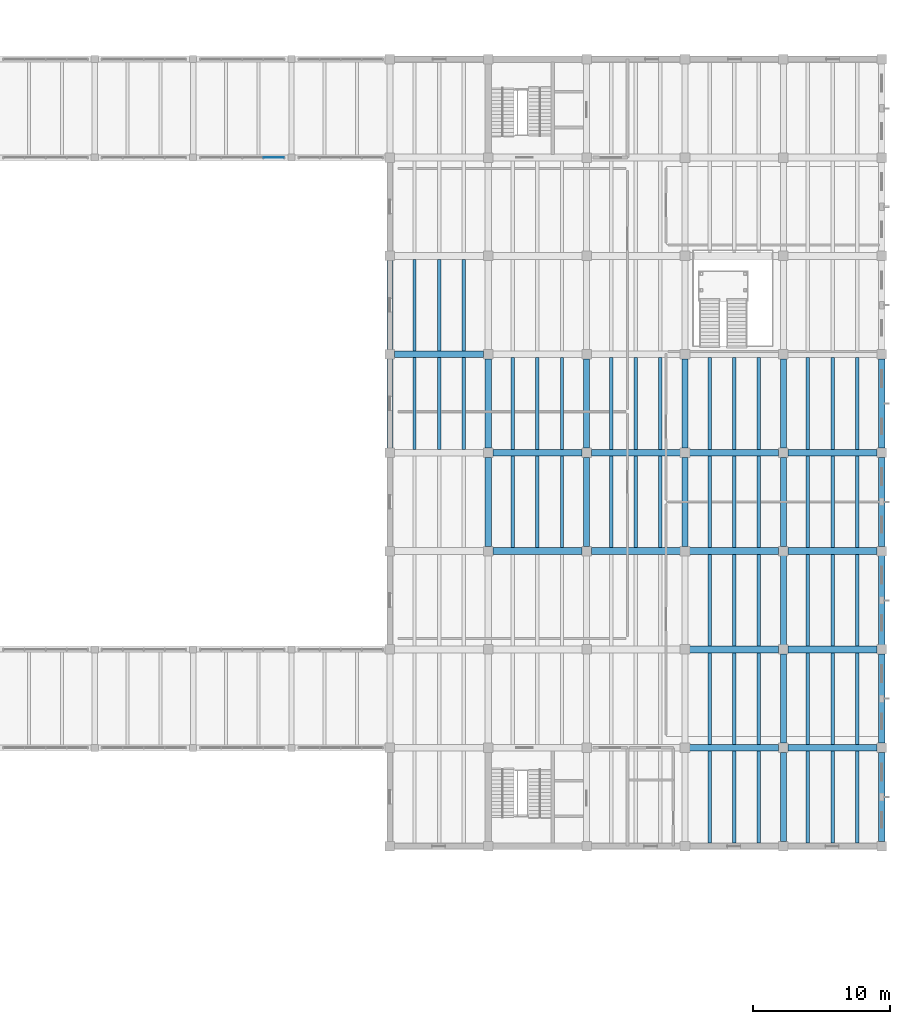
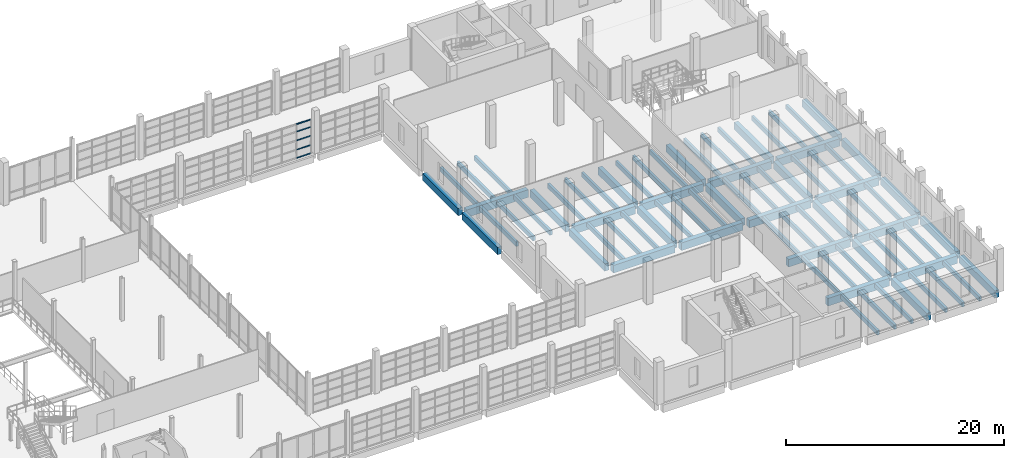
# One storey, part 44 of 77: 79 beams, 5 members, 1 element without a shape of its own.
"""IFC4 building model written with IfcOpenShell, lengths in metres."""

import ifcopenshell
import ifcopenshell.guid

model = None  # the IFC model being written
_history = None  # IfcOwnerHistory: only IFC2X3 demands one
_inside = {}  # id of a spatial element -> (the spatial element, [elements in it])
_under = {}  # id of a project, library or spatial element -> (it, [spatial elements below it])
_declared = {}  # id of a project -> (the project, [libraries it declares])
_typed = {}  # id of a type object -> (the type object, [elements of that type])
_made_of = {}  # id of a material, layer set ... -> (it, [elements and type objects made of it])


def new_model(schema):
    """Start an empty IFC model of exactly this schema.

    Asked for "IFC4X3", IfcOpenShell would pick the latest addendum, in which some entities
    have other attributes; the version numbers below select the first issue.
    IFC2X3 requires an IfcOwnerHistory on every rooted entity: one is made here for all.
    """
    global model, _history
    if schema == "IFC4X3":
        model = ifcopenshell.file(schema_version=(4, 3, 0, 0))
    else:
        model = ifcopenshell.file(schema=schema)
    _inside.clear()
    _under.clear()
    _declared.clear()
    _typed.clear()
    _made_of.clear()
    _history = None
    if model.schema == "IFC2X3":
        org = make("IfcOrganization", Name="unknown")
        user = make(
            "IfcPersonAndOrganization",
            ThePerson=make("IfcPerson", FamilyName="unknown"),
            TheOrganization=org,
        )
        app = make(
            "IfcApplication",
            ApplicationDeveloper=org,
            Version="unknown",
            ApplicationFullName="unknown",
            ApplicationIdentifier="unknown",
        )
        _history = make(
            "IfcOwnerHistory",
            OwningUser=user,
            OwningApplication=app,
            ChangeAction="ADDED",
            CreationDate=0,
        )
    return model


def make(cls, **values):
    """One entity of the class cls with the attributes given. An attribute that is None is left unset."""
    return model.create_entity(
        cls, **{name: value for name, value in values.items() if value is not None}
    )


def rooted(cls, **values):
    """An entity with a GlobalId (a new one), such as an element, a storey or a relation."""
    return make(cls, GlobalId=ifcopenshell.guid.new(), OwnerHistory=_history, **values)


def si_unit(unit_type, name, prefix=None):
    """IfcSIUnit, for example si_unit("LENGTHUNIT", "METRE", prefix="MILLI")."""
    return make("IfcSIUnit", UnitType=unit_type, Prefix=prefix, Name=name)


def assignment(units):
    """IfcUnitAssignment: the units of a project."""
    return None if units is None else make("IfcUnitAssignment", Units=units)


def point(xyz):
    """IfcCartesianPoint."""
    return None if xyz is None else make("IfcCartesianPoint", Coordinates=xyz)


def direction(xyz):
    """IfcDirection."""
    return None if xyz is None else make("IfcDirection", DirectionRatios=xyz)


def frame(location, z_axis=None, x_axis=None):
    """IfcAxis2Placement3D, a coordinate frame: its origin and axes. An axis left out is left unset."""
    return make(
        "IfcAxis2Placement3D",
        Location=point(location),
        Axis=direction(z_axis),
        RefDirection=direction(x_axis),
    )


def frame_2d(location, x_axis=None):
    """IfcAxis2Placement2D, a coordinate frame in the plane: its origin and x axis."""
    return make(
        "IfcAxis2Placement2D", Location=point(location), RefDirection=direction(x_axis)
    )


def origin():
    """The frame at (0, 0, 0) with its axes left unset."""
    return frame((0.0, 0.0, 0.0))


def origin_2d():
    """The frame at (0, 0) in the plane with its x axis left unset."""
    return frame_2d((0.0, 0.0))


def place(relative_to, where):
    """IfcLocalPlacement: puts the frame where relative to a parent placement (None: the world)."""
    return make(
        "IfcLocalPlacement", PlacementRelTo=relative_to, RelativePlacement=where
    )


def context(
    kind, dimensions, precision=None, world=None, true_north=None, identifier=None
):
    """IfcGeometricRepresentationContext, for example the 3D "Model" context."""
    return make(
        "IfcGeometricRepresentationContext",
        ContextIdentifier=identifier,
        ContextType=kind,
        CoordinateSpaceDimension=dimensions,
        Precision=precision,
        WorldCoordinateSystem=world,
        TrueNorth=true_north,
    )


def subcontext(parent, identifier, kind, view, scale=None):
    """IfcGeometricRepresentationSubContext, for example "Body" below "Model"."""
    return make(
        "IfcGeometricRepresentationSubContext",
        ContextIdentifier=identifier,
        ContextType=kind,
        ParentContext=parent,
        TargetScale=scale,
        TargetView=view,
    )


def project(units=None, contexts=None):
    """IfcProject with its units and contexts."""
    return rooted(
        "IfcProject",
        Name="project",
        RepresentationContexts=contexts,
        UnitsInContext=assignment(units),
    )


def spatial(cls, under=None, at=None, **own):
    """A site, building, storey or space (cls), placed at a placement, below another one or the project."""
    s = rooted(cls, ObjectPlacement=at, **own)
    if under is not None:
        _under.setdefault(under.id(), (under, []))[1].append(s)
    return s


def profile(cls, at=None, kind="AREA", **sizes):
    """A parametric profile (cls). Its sizes go by their IFC names, for example OverallWidth=200.0."""
    return make(cls, ProfileType=kind, Position=at, **sizes)


def rectangle(**sizes):
    """IfcRectangleProfileDef."""
    return profile("IfcRectangleProfileDef", **sizes)


def extrude(swept, where, along, depth):
    """IfcExtrudedAreaSolid: the profile swept, set in the frame where, extruded along a direction by depth."""
    return make(
        "IfcExtrudedAreaSolid",
        SweptArea=swept,
        Position=where,
        ExtrudedDirection=direction(along),
        Depth=depth,
    )


def shape(context_of_items, identifier, shape_type, items):
    """IfcShapeRepresentation: the items that make up one representation, for example the "Body"."""
    return make(
        "IfcShapeRepresentation",
        ContextOfItems=context_of_items,
        RepresentationIdentifier=identifier,
        RepresentationType=shape_type,
        Items=items,
    )


def material(Name=None, Category=None):
    """IfcMaterial."""
    return make("IfcMaterial", Name=Name, Category=Category)


def material_profile(
    of_material, cross_section, Name=None, Category=None, Priority=None
):
    """IfcMaterialProfile: a cross section and its material."""
    return make(
        "IfcMaterialProfile",
        Name=Name,
        Material=of_material,
        Profile=cross_section,
        Priority=Priority,
        Category=Category,
    )


def profile_set(profiles, Name=None, composite=None):
    """IfcMaterialProfileSet."""
    return make(
        "IfcMaterialProfileSet",
        Name=Name,
        MaterialProfiles=profiles,
        CompositeProfile=composite,
    )


def made_of(thing, what):
    """Note that an element or type object is made of a material, layer set ...; save() writes the relation."""
    if what is not None:
        _made_of.setdefault(what.id(), (what, []))[1].append(thing)
    return thing


def type_object(cls, material=None, **own):
    """A type object (cls), such as IfcWallType, which elements share."""
    return made_of(rooted(cls, **own), material)


def element(
    cls,
    number,
    at=None,
    inside=None,
    cuts=None,
    type_object=None,
    material=None,
    context=None,
    identifier="Body",
    shape_type=None,
    held_by="IfcProductDefinitionShape",
    body=None,
    shapes=None,
    **own,
):
    """One element of the class cls, such as IfcWall. Its Tag is "e" and its number.

    at: its placement. inside: the storey or other place that contains it. cuts: it is an
    opening in that element (IfcRelVoidsElement). A single representation is given by context,
    identifier, shape_type and body (its items); several are given by shapes. held_by: the class
    of the entity that holds the representations. save() writes the other relations.
    """
    e = rooted(cls, Tag="e%d" % number, ObjectPlacement=at, **own)
    if body is not None:
        shapes = [shape(context, identifier, shape_type, body)]
    if shapes is not None:
        e.Representation = make(held_by, Representations=shapes)
    if inside is not None:
        _inside.setdefault(inside.id(), (inside, []))[1].append(e)
    if cuts is not None:
        rooted(
            "IfcRelVoidsElement", RelatingBuildingElement=cuts, RelatedOpeningElement=e
        )
    if type_object is not None:
        _typed.setdefault(type_object.id(), (type_object, []))[1].append(e)
    return made_of(e, material)


def aggregate(whole, parts):
    """IfcRelAggregates: a whole, such as a stair, and the parts it consists of."""
    return rooted("IfcRelAggregates", RelatingObject=whole, RelatedObjects=parts)


def save(model, path):
    """Write the relations noted so far, then the file.

    IfcRelAggregates (storeys below a building ...), IfcRelContainedInSpatialStructure (elements
    in a storey), IfcRelDefinesByType, IfcRelAssociatesMaterial and IfcRelDeclares: one each for
    every whole, place, type object, material and project.
    """
    for whole, parts in _under.values():
        aggregate(whole, parts)
    for where, things in _inside.values():
        rooted(
            "IfcRelContainedInSpatialStructure",
            RelatedElements=things,
            RelatingStructure=where,
        )
    for kind, things in _typed.values():
        rooted("IfcRelDefinesByType", RelatedObjects=things, RelatingType=kind)
    for what, things in _made_of.values():
        rooted("IfcRelAssociatesMaterial", RelatedObjects=things, RelatingMaterial=what)
    for by, libraries in _declared.values():
        rooted("IfcRelDeclares", RelatingContext=by, RelatedDefinitions=libraries)
    model.write(path)


model = new_model("IFC4")

# Units and contexts
model_context = context("Model", 3, precision=1e-05, world=origin(), true_north=direction((0.0, 1.0)))
body_context = subcontext(model_context, "Body", "Model", "MODEL_VIEW")
ifc_project = project(units=[si_unit("LENGTHUNIT", "METRE"), si_unit("AREAUNIT", "SQUARE_METRE"), si_unit("VOLUMEUNIT", "CUBIC_METRE"), si_unit("PLANEANGLEUNIT", "RADIAN"), si_unit("MASSUNIT", "GRAM", prefix="KILO")], contexts=[model_context])

# Site, building, storey
site_placement = place(None, origin())
site = spatial("IfcSite", under=ifc_project, at=site_placement, CompositionType="ELEMENT")
building_placement = place(site_placement, origin())
building = spatial("IfcBuilding", under=site, at=building_placement, Name="Qiaolan Assembly House", CompositionType="ELEMENT")
storey_placement = place(building_placement, frame((0.0, 0.0, 5.39990234375)))
storey = spatial("IfcBuildingStorey", under=building, at=storey_placement, Name="L01", CompositionType="ELEMENT", Elevation=5.39990234375)

# Beams
ifc_material_1 = material(Name="Concrete C40/50", Category="concrete")
ifc_material_profile_1 = material_profile(ifc_material_1, rectangle(XDim=0.449951171875, YDim=0.800048828125, at=origin_2d()), Name="RCB 450x800")
ifc_profile_set_1 = profile_set([ifc_material_profile_1], Name="Concrete C40/50")
beam_type_1 = type_object("IfcBeamType", Name="BM-RC-450x800", PredefinedType="BEAM", material=ifc_profile_set_1)
for number, where, z_axis, x_axis, name in (
    (1, (136.800048828125, 57.93994140625, -0.669921875), (0.0, 1.0, 0.0), (-1.0, 0.0, 0.0), "GB-03 beam BMY-LB-L01-00-04"),
    (2, (136.800048828125, 65.139892578125, -0.669921875), (0.0, 1.0, 0.0), (-1.0, 0.0, 0.0), "GB-03 beam BMY-LB-L01-00-05"),
    (3, (144.0, 50.739990234375, -0.669921875), (0.0, 1.0, 0.0), (-1.0, 0.0, 0.0), "GB-03 beam BMY-LB-L01-01-03"),
    (4, (144.0, 57.93994140625, -0.669921875), (0.0, 1.0, 0.0), (-1.0, 0.0, 0.0), "GB-03 beam BMY-LB-L01-01-04"),
    (5, (151.199951171875, 50.739990234375, -0.669921875), (0.0, 1.0, 0.0), (-1.0, 0.0, 0.0), "GB-03 beam BMY-LB-L01-02-03"),
    (6, (151.199951171875, 57.93994140625, -0.669921875), (0.0, 1.0, 0.0), (-1.0, 0.0, 0.0), "GB-03 beam BMY-LB-L01-02-04"),
    (7, (158.39990234375, 50.739990234375, -0.669921875), (0.0, 1.0, 0.0), (-1.0, 0.0, 0.0), "GB-03 beam BMY-LB-L01-03-03"),
    (8, (158.39990234375, 57.93994140625, -0.669921875), (0.0, 1.0, 0.0), (-1.0, 0.0, 0.0), "GB-03 beam BMY-LB-L01-03-04"),
    (9, (165.60009765625, 29.139892578125, -0.669921875), (0.0, 1.0, 0.0), (-1.0, 0.0, 0.0), "GB-03 beam BMY-LB-L01-04-00"),
    (10, (165.60009765625, 36.340087890625, -0.669921875), (0.0, 1.0, 0.0), (-1.0, 0.0, 0.0), "GB-03 beam BMY-LB-L01-04-01"),
    (11, (165.60009765625, 43.5400390625, -0.669921875), (0.0, 1.0, 0.0), (-1.0, 0.0, 0.0), "GB-03 beam BMY-LB-L01-04-02"),
    (12, (165.60009765625, 50.739990234375, -0.669921875), (0.0, 1.0, 0.0), (-1.0, 0.0, 0.0), "GB-03 beam BMY-LB-L01-04-03"),
    (13, (165.60009765625, 57.93994140625, -0.669921875), (0.0, 1.0, 0.0), (-1.0, 0.0, 0.0), "GB-03 beam BMY-LB-L01-04-04"),
    (14, (172.800048828125, 29.139892578125, -0.669921875), (0.0, 1.0, 0.0), (-1.0, 0.0, 0.0), "GB-03 beam BMY-LB-L01-05-00"),
    (15, (172.800048828125, 36.340087890625, -0.669921875), (0.0, 1.0, 0.0), (-1.0, 0.0, 0.0), "GB-03 beam BMY-LB-L01-05-01"),
    (16, (172.800048828125, 43.5400390625, -0.669921875), (0.0, 1.0, 0.0), (-1.0, 0.0, 0.0), "GB-03 beam BMY-LB-L01-05-02"),
    (17, (172.800048828125, 50.739990234375, -0.669921875), (0.0, 1.0, 0.0), (-1.0, 0.0, 0.0), "GB-03 beam BMY-LB-L01-05-03"),
    (18, (172.800048828125, 57.93994140625, -0.669921875), (0.0, 1.0, 0.0), (-1.0, 0.0, 0.0), "GB-03 beam BMY-LB-L01-05-04"),
):
    element("IfcBeam", number, at=place(storey_placement, frame(where, z_axis=z_axis, x_axis=x_axis)), inside=storey, type_object=beam_type_1, Name=name, PredefinedType="BEAM", context=body_context, shape_type="SweptSolid", body=[
        extrude(rectangle(XDim=0.449951171875, YDim=0.800048828125, at=origin_2d()), origin(), (0.0, 0.0, 1.0), 6.52001953125),
    ])
ifc_material_2 = material(Name="Concrete C45/55", Category="concrete")
ifc_material_profile_2 = material_profile(ifc_material_2, rectangle(XDim=0.5, YDim=0.85009765625, at=origin_2d()), Name="RCB 500x850")
ifc_profile_set_2 = profile_set([ifc_material_profile_2], Name="Concrete C45/55")
beam_type_2 = type_object("IfcBeamType", Name="BM-RC-500x850", PredefinedType="BEAM", material=ifc_profile_set_2)
for number, where, z_axis, x_axis, name in (
    (19, (158.739990234375, 36.0, -0.69482421875), (1.0, 0.0, 0.0), (0.0, 1.0, 0.0), "GB-02 beam BMX-LB-L01-03-01"),
    (20, (165.93994140625, 36.0, -0.69482421875), (1.0, 0.0, 0.0), (0.0, 1.0, 0.0), "GB-02 beam BMX-LB-L01-04-01"),
    (21, (158.739990234375, 43.199951171875, -0.69482421875), (1.0, 0.0, 0.0), (0.0, 1.0, 0.0), "GB-02 beam BMX-LB-L01-03-02"),
    (22, (165.93994140625, 43.199951171875, -0.69482421875), (1.0, 0.0, 0.0), (0.0, 1.0, 0.0), "GB-02 beam BMX-LB-L01-04-02"),
    (23, (144.340087890625, 50.39990234375, -0.69482421875), (1.0, 0.0, 0.0), (0.0, 1.0, 0.0), "GB-02 beam BMX-LB-L01-01-03"),
    (24, (151.5400390625, 50.39990234375, -0.69482421875), (1.0, 0.0, 0.0), (0.0, 1.0, 0.0), "GB-02 beam BMX-LB-L01-02-03"),
    (25, (158.739990234375, 50.39990234375, -0.69482421875), (1.0, 0.0, 0.0), (0.0, 1.0, 0.0), "GB-02 beam BMX-LB-L01-03-03"),
    (26, (165.93994140625, 50.39990234375, -0.69482421875), (1.0, 0.0, 0.0), (0.0, 1.0, 0.0), "GB-02 beam BMX-LB-L01-04-03"),
    (27, (144.340087890625, 57.60009765625, -0.69482421875), (1.0, 0.0, 0.0), (0.0, 1.0, 0.0), "GB-02 beam BMX-LB-L01-01-04"),
    (28, (151.5400390625, 57.60009765625, -0.69482421875), (1.0, 0.0, 0.0), (0.0, 1.0, 0.0), "GB-02 beam BMX-LB-L01-02-04"),
    (29, (158.739990234375, 57.60009765625, -0.69482421875), (1.0, 0.0, 0.0), (0.0, 1.0, 0.0), "GB-02 beam BMX-LB-L01-03-04"),
    (30, (165.93994140625, 57.60009765625, -0.69482421875), (1.0, 0.0, 0.0), (0.0, 1.0, 0.0), "GB-02 beam BMX-LB-L01-04-04"),
    (31, (137.139892578125, 64.800048828125, -0.69482421875), (1.0, 0.0, 0.0), (0.0, 1.0, 0.0), "GB-02 beam BMX-LB-L01-00-05"),
):
    element("IfcBeam", number, at=place(storey_placement, frame(where, z_axis=z_axis, x_axis=x_axis)), inside=storey, type_object=beam_type_2, Name=name, PredefinedType="BEAM", context=body_context, shape_type="SweptSolid", body=[
        extrude(rectangle(XDim=0.5, YDim=0.85009765625, at=origin_2d()), origin(), (0.0, 0.0, 1.0), 6.52001953125),
    ])

# Curtain wall, members
ifc_material_3 = material(Name="Anodised bronze aluminium", Category="aluminium")
curtain_wall_type = type_object("IfcCurtainWallType", Name="CW-CLOISTER-420", PredefinedType="NOTDEFINED", material=ifc_material_3)
curtain_wall_placement = place(storey_placement, origin())
curtain_wall = element("IfcCurtainWall", 32, at=curtain_wall_placement, inside=storey, type_object=curtain_wall_type, Name="CW-05 North Cloister court arcade L01-3", PredefinedType="NOTDEFINED")
ifc_material_profile_3 = material_profile(ifc_material_3, rectangle(XDim=0.06201171875, YDim=0.125, at=origin_2d()), Name="TRN 62x125")
ifc_profile_set_3 = profile_set([ifc_material_profile_3], Name="Anodised bronze aluminium")
member_type = type_object("IfcMemberType", Name="CW-CLOISTER-420-TRN", PredefinedType="USERDEFINED", material=ifc_profile_set_3)
member_1_placement = place(storey_placement, frame((127.574951171875, 79.199951171875, 0.030029296875), z_axis=(1.0, 0.0, 0.0), x_axis=(0.0, 1.0, 0.0)))
member_1 = element("IfcMember", 33, at=member_1_placement, type_object=member_type, Name="TR-06 transom CW-CLN-CRT-L01-2-4-1", ObjectType="TRANSOM", PredefinedType="USERDEFINED", context=body_context, shape_type="SweptSolid", body=[
    extrude(rectangle(XDim=0.06201171875, YDim=0.125, at=origin_2d()), origin(), (0.0, 0.0, 1.0), 1.469970703125),
])
member_2_placement = place(storey_placement, frame((127.574951171875, 79.199951171875, 0.9501953125), z_axis=(1.0, 0.0, 0.0), x_axis=(0.0, 1.0, 0.0)))
member_2 = element("IfcMember", 34, at=member_2_placement, type_object=member_type, Name="TR-06 transom CW-CLN-CRT-L01-2-4-2", ObjectType="TRANSOM", PredefinedType="USERDEFINED", context=body_context, shape_type="SweptSolid", body=[
    extrude(rectangle(XDim=0.06201171875, YDim=0.125, at=origin_2d()), origin(), (0.0, 0.0, 1.0), 1.469970703125),
])
member_3_placement = place(storey_placement, frame((127.574951171875, 79.199951171875, 1.986572265625), z_axis=(1.0, 0.0, 0.0), x_axis=(0.0, 1.0, 0.0)))
member_3 = element("IfcMember", 35, at=member_3_placement, type_object=member_type, Name="TR-06 transom CW-CLN-CRT-L01-2-4-3", ObjectType="TRANSOM", PredefinedType="USERDEFINED", context=body_context, shape_type="SweptSolid", body=[
    extrude(rectangle(XDim=0.06201171875, YDim=0.125, at=origin_2d()), origin(), (0.0, 0.0, 1.0), 1.469970703125),
])
member_4_placement = place(storey_placement, frame((127.574951171875, 79.199951171875, 2.97021484375), z_axis=(1.0, 0.0, 0.0), x_axis=(0.0, 1.0, 0.0)))
member_4 = element("IfcMember", 36, at=member_4_placement, type_object=member_type, Name="TR-06 transom CW-CLN-CRT-L01-2-4-4", ObjectType="TRANSOM", PredefinedType="USERDEFINED", context=body_context, shape_type="SweptSolid", body=[
    extrude(rectangle(XDim=0.06201171875, YDim=0.125, at=origin_2d()), origin(), (0.0, 0.0, 1.0), 1.469970703125),
])
member_5_placement = place(storey_placement, frame((127.574951171875, 79.199951171875, 3.7900390625), z_axis=(1.0, 0.0, 0.0), x_axis=(0.0, 1.0, 0.0)))
member_5 = element("IfcMember", 37, at=member_5_placement, type_object=member_type, Name="TR-06 transom CW-CLN-CRT-L01-2-4-5", ObjectType="TRANSOM", PredefinedType="USERDEFINED", context=body_context, shape_type="SweptSolid", body=[
    extrude(rectangle(XDim=0.06201171875, YDim=0.125, at=origin_2d()), origin(), (0.0, 0.0, 1.0), 1.469970703125),
])
aggregate(curtain_wall, [member_1, member_2, member_3, member_4, member_5])

# Beams
ifc_material_profile_4 = material_profile(ifc_material_1, rectangle(XDim=0.25, YDim=0.5, at=origin_2d()), Name="RCB 250x500")
ifc_profile_set_4 = profile_set([ifc_material_profile_4], Name="Concrete C40/50")
beam_type_3 = type_object("IfcBeamType", Name="JST-RC-250x500", PredefinedType="JOIST", material=ifc_profile_set_4)
for number, where, z_axis, x_axis, name in (
    (38, (138.60009765625, 57.843994140625, -0.52001953125), (0.0, 1.0, 0.0), (-1.0, 0.0, 0.0), "RJ-01 beam JST-LB-L01-00-04-1"),
    (39, (140.39990234375, 57.843994140625, -0.52001953125), (0.0, 1.0, 0.0), (-1.0, 0.0, 0.0), "RJ-01 beam JST-LB-L01-00-04-2"),
    (40, (142.199951171875, 57.843994140625, -0.52001953125), (0.0, 1.0, 0.0), (-1.0, 0.0, 0.0), "RJ-01 beam JST-LB-L01-00-04-3"),
):
    element("IfcBeam", number, at=place(storey_placement, frame(where, z_axis=z_axis, x_axis=x_axis)), inside=storey, type_object=beam_type_3, Name=name, PredefinedType="JOIST", context=body_context, shape_type="SweptSolid", body=[
        extrude(rectangle(XDim=0.25, YDim=0.5, at=origin_2d()), origin(), (0.0, 0.0, 1.0), 6.7119140625),
    ])
for number, where, z_axis, x_axis, name in (
    (41, (138.60009765625, 65.0439453125, -0.52001953125), (0.0, 1.0, 0.0), (-1.0, 0.0, 0.0), "RJ-01 beam JST-LB-L01-00-05-1"),
    (42, (140.39990234375, 65.0439453125, -0.52001953125), (0.0, 1.0, 0.0), (-1.0, 0.0, 0.0), "RJ-01 beam JST-LB-L01-00-05-2"),
    (43, (142.199951171875, 65.0439453125, -0.52001953125), (0.0, 1.0, 0.0), (-1.0, 0.0, 0.0), "RJ-01 beam JST-LB-L01-00-05-3"),
):
    element("IfcBeam", number, at=place(storey_placement, frame(where, z_axis=z_axis, x_axis=x_axis)), inside=storey, type_object=beam_type_3, Name=name, PredefinedType="JOIST", context=body_context, shape_type="SweptSolid", body=[
        extrude(rectangle(XDim=0.25, YDim=0.5, at=origin_2d()), origin(), (0.0, 0.0, 1.0), 6.712158203125),
    ])
for number, where, z_axis, x_axis, name in (
    (44, (145.800048828125, 50.64404296875, -0.52001953125), (0.0, 1.0, 0.0), (-1.0, 0.0, 0.0), "RJ-01 beam JST-LB-L01-01-03-1"),
    (45, (147.60009765625, 50.64404296875, -0.52001953125), (0.0, 1.0, 0.0), (-1.0, 0.0, 0.0), "RJ-01 beam JST-LB-L01-01-03-2"),
    (46, (149.39990234375, 50.64404296875, -0.52001953125), (0.0, 1.0, 0.0), (-1.0, 0.0, 0.0), "RJ-01 beam JST-LB-L01-01-03-3"),
    (47, (145.800048828125, 57.843994140625, -0.52001953125), (0.0, 1.0, 0.0), (-1.0, 0.0, 0.0), "RJ-01 beam JST-LB-L01-01-04-1"),
    (48, (147.60009765625, 57.843994140625, -0.52001953125), (0.0, 1.0, 0.0), (-1.0, 0.0, 0.0), "RJ-01 beam JST-LB-L01-01-04-2"),
    (49, (149.39990234375, 57.843994140625, -0.52001953125), (0.0, 1.0, 0.0), (-1.0, 0.0, 0.0), "RJ-01 beam JST-LB-L01-01-04-3"),
    (50, (153.0, 50.64404296875, -0.52001953125), (0.0, 1.0, 0.0), (-1.0, 0.0, 0.0), "RJ-01 beam JST-LB-L01-02-03-1"),
    (51, (154.800048828125, 50.64404296875, -0.52001953125), (0.0, 1.0, 0.0), (-1.0, 0.0, 0.0), "RJ-01 beam JST-LB-L01-02-03-2"),
    (52, (156.60009765625, 50.64404296875, -0.52001953125), (0.0, 1.0, 0.0), (-1.0, 0.0, 0.0), "RJ-01 beam JST-LB-L01-02-03-3"),
    (53, (153.0, 57.843994140625, -0.52001953125), (0.0, 1.0, 0.0), (-1.0, 0.0, 0.0), "RJ-01 beam JST-LB-L01-02-04-1"),
    (54, (154.800048828125, 57.843994140625, -0.52001953125), (0.0, 1.0, 0.0), (-1.0, 0.0, 0.0), "RJ-01 beam JST-LB-L01-02-04-2"),
    (55, (156.60009765625, 57.843994140625, -0.52001953125), (0.0, 1.0, 0.0), (-1.0, 0.0, 0.0), "RJ-01 beam JST-LB-L01-02-04-3"),
):
    element("IfcBeam", number, at=place(storey_placement, frame(where, z_axis=z_axis, x_axis=x_axis)), inside=storey, type_object=beam_type_3, Name=name, PredefinedType="JOIST", context=body_context, shape_type="SweptSolid", body=[
        extrude(rectangle(XDim=0.25, YDim=0.5, at=origin_2d()), origin(), (0.0, 0.0, 1.0), 6.7119140625),
    ])
for number, where, z_axis, x_axis, name in (
    (56, (160.199951171875, 29.0439453125, -0.52001953125), (0.0, 1.0, 0.0), (-1.0, 0.0, 0.0), "RJ-01 beam JST-LB-L01-03-00-1"),
    (57, (162.0, 29.0439453125, -0.52001953125), (0.0, 1.0, 0.0), (-1.0, 0.0, 0.0), "RJ-01 beam JST-LB-L01-03-00-2"),
    (58, (163.800048828125, 29.0439453125, -0.52001953125), (0.0, 1.0, 0.0), (-1.0, 0.0, 0.0), "RJ-01 beam JST-LB-L01-03-00-3"),
    (59, (160.199951171875, 36.243896484375, -0.52001953125), (0.0, 1.0, 0.0), (-1.0, 0.0, 0.0), "RJ-01 beam JST-LB-L01-03-01-1"),
    (60, (162.0, 36.243896484375, -0.52001953125), (0.0, 1.0, 0.0), (-1.0, 0.0, 0.0), "RJ-01 beam JST-LB-L01-03-01-2"),
    (61, (163.800048828125, 36.243896484375, -0.52001953125), (0.0, 1.0, 0.0), (-1.0, 0.0, 0.0), "RJ-01 beam JST-LB-L01-03-01-3"),
):
    element("IfcBeam", number, at=place(storey_placement, frame(where, z_axis=z_axis, x_axis=x_axis)), inside=storey, type_object=beam_type_3, Name=name, PredefinedType="JOIST", context=body_context, shape_type="SweptSolid", body=[
        extrude(rectangle(XDim=0.25, YDim=0.5, at=origin_2d()), origin(), (0.0, 0.0, 1.0), 6.712158203125),
    ])
for number, where, z_axis, x_axis, name in (
    (62, (160.199951171875, 43.444091796875, -0.52001953125), (0.0, 1.0, 0.0), (-1.0, 0.0, 0.0), "RJ-01 beam JST-LB-L01-03-02-1"),
    (63, (162.0, 43.444091796875, -0.52001953125), (0.0, 1.0, 0.0), (-1.0, 0.0, 0.0), "RJ-01 beam JST-LB-L01-03-02-2"),
    (64, (163.800048828125, 43.444091796875, -0.52001953125), (0.0, 1.0, 0.0), (-1.0, 0.0, 0.0), "RJ-01 beam JST-LB-L01-03-02-3"),
    (65, (160.199951171875, 50.64404296875, -0.52001953125), (0.0, 1.0, 0.0), (-1.0, 0.0, 0.0), "RJ-01 beam JST-LB-L01-03-03-1"),
    (66, (162.0, 50.64404296875, -0.52001953125), (0.0, 1.0, 0.0), (-1.0, 0.0, 0.0), "RJ-01 beam JST-LB-L01-03-03-2"),
    (67, (163.800048828125, 50.64404296875, -0.52001953125), (0.0, 1.0, 0.0), (-1.0, 0.0, 0.0), "RJ-01 beam JST-LB-L01-03-03-3"),
    (68, (160.199951171875, 57.843994140625, -0.52001953125), (0.0, 1.0, 0.0), (-1.0, 0.0, 0.0), "RJ-01 beam JST-LB-L01-03-04-1"),
    (69, (162.0, 57.843994140625, -0.52001953125), (0.0, 1.0, 0.0), (-1.0, 0.0, 0.0), "RJ-01 beam JST-LB-L01-03-04-2"),
    (70, (163.800048828125, 57.843994140625, -0.52001953125), (0.0, 1.0, 0.0), (-1.0, 0.0, 0.0), "RJ-01 beam JST-LB-L01-03-04-3"),
):
    element("IfcBeam", number, at=place(storey_placement, frame(where, z_axis=z_axis, x_axis=x_axis)), inside=storey, type_object=beam_type_3, Name=name, PredefinedType="JOIST", context=body_context, shape_type="SweptSolid", body=[
        extrude(rectangle(XDim=0.25, YDim=0.5, at=origin_2d()), origin(), (0.0, 0.0, 1.0), 6.7119140625),
    ])
for number, where, z_axis, x_axis, name in (
    (71, (167.39990234375, 29.0439453125, -0.52001953125), (0.0, 1.0, 0.0), (-1.0, 0.0, 0.0), "RJ-01 beam JST-LB-L01-04-00-1"),
    (72, (169.199951171875, 29.0439453125, -0.52001953125), (0.0, 1.0, 0.0), (-1.0, 0.0, 0.0), "RJ-01 beam JST-LB-L01-04-00-2"),
    (73, (171.0, 29.0439453125, -0.52001953125), (0.0, 1.0, 0.0), (-1.0, 0.0, 0.0), "RJ-01 beam JST-LB-L01-04-00-3"),
    (74, (167.39990234375, 36.243896484375, -0.52001953125), (0.0, 1.0, 0.0), (-1.0, 0.0, 0.0), "RJ-01 beam JST-LB-L01-04-01-1"),
    (75, (169.199951171875, 36.243896484375, -0.52001953125), (0.0, 1.0, 0.0), (-1.0, 0.0, 0.0), "RJ-01 beam JST-LB-L01-04-01-2"),
    (76, (171.0, 36.243896484375, -0.52001953125), (0.0, 1.0, 0.0), (-1.0, 0.0, 0.0), "RJ-01 beam JST-LB-L01-04-01-3"),
):
    element("IfcBeam", number, at=place(storey_placement, frame(where, z_axis=z_axis, x_axis=x_axis)), inside=storey, type_object=beam_type_3, Name=name, PredefinedType="JOIST", context=body_context, shape_type="SweptSolid", body=[
        extrude(rectangle(XDim=0.25, YDim=0.5, at=origin_2d()), origin(), (0.0, 0.0, 1.0), 6.712158203125),
    ])
for number, where, z_axis, x_axis, name in (
    (77, (167.39990234375, 43.444091796875, -0.52001953125), (0.0, 1.0, 0.0), (-1.0, 0.0, 0.0), "RJ-01 beam JST-LB-L01-04-02-1"),
    (78, (169.199951171875, 43.444091796875, -0.52001953125), (0.0, 1.0, 0.0), (-1.0, 0.0, 0.0), "RJ-01 beam JST-LB-L01-04-02-2"),
    (79, (171.0, 43.444091796875, -0.52001953125), (0.0, 1.0, 0.0), (-1.0, 0.0, 0.0), "RJ-01 beam JST-LB-L01-04-02-3"),
    (80, (167.39990234375, 50.64404296875, -0.52001953125), (0.0, 1.0, 0.0), (-1.0, 0.0, 0.0), "RJ-01 beam JST-LB-L01-04-03-1"),
    (81, (169.199951171875, 50.64404296875, -0.52001953125), (0.0, 1.0, 0.0), (-1.0, 0.0, 0.0), "RJ-01 beam JST-LB-L01-04-03-2"),
    (82, (171.0, 50.64404296875, -0.52001953125), (0.0, 1.0, 0.0), (-1.0, 0.0, 0.0), "RJ-01 beam JST-LB-L01-04-03-3"),
    (83, (167.39990234375, 57.843994140625, -0.52001953125), (0.0, 1.0, 0.0), (-1.0, 0.0, 0.0), "RJ-01 beam JST-LB-L01-04-04-1"),
    (84, (169.199951171875, 57.843994140625, -0.52001953125), (0.0, 1.0, 0.0), (-1.0, 0.0, 0.0), "RJ-01 beam JST-LB-L01-04-04-2"),
    (85, (171.0, 57.843994140625, -0.52001953125), (0.0, 1.0, 0.0), (-1.0, 0.0, 0.0), "RJ-01 beam JST-LB-L01-04-04-3"),
):
    element("IfcBeam", number, at=place(storey_placement, frame(where, z_axis=z_axis, x_axis=x_axis)), inside=storey, type_object=beam_type_3, Name=name, PredefinedType="JOIST", context=body_context, shape_type="SweptSolid", body=[
        extrude(rectangle(XDim=0.25, YDim=0.5, at=origin_2d()), origin(), (0.0, 0.0, 1.0), 6.7119140625),
    ])

save(model, "model.ifc")
